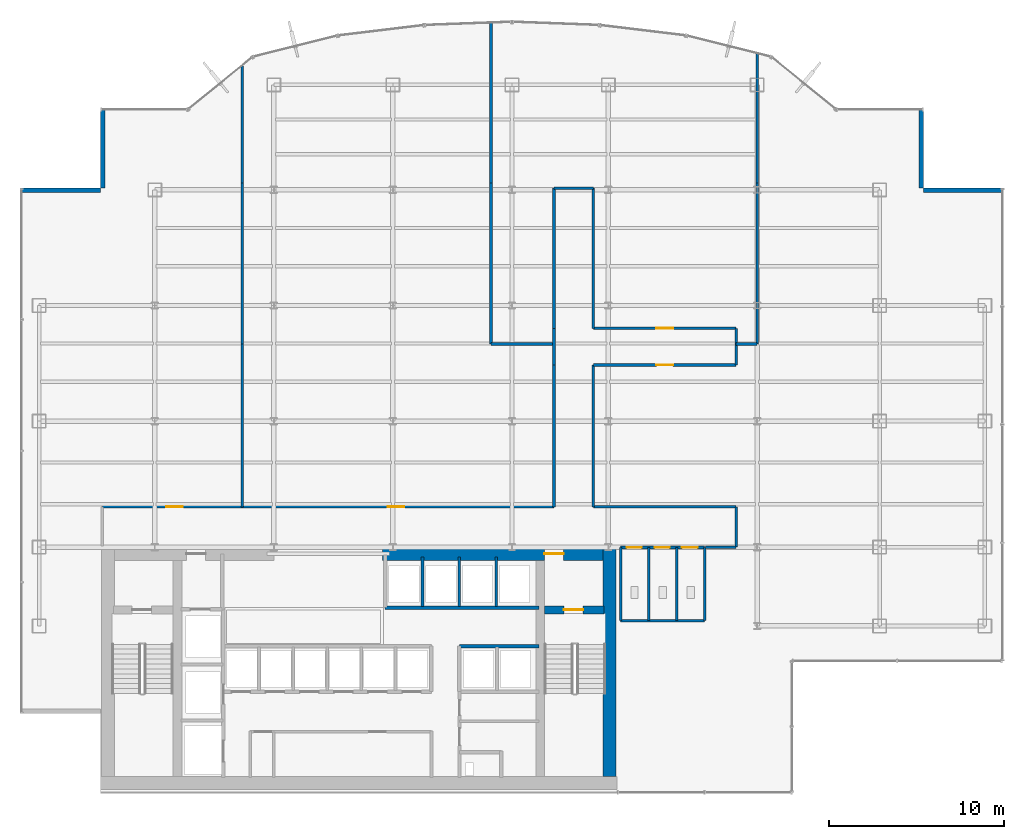
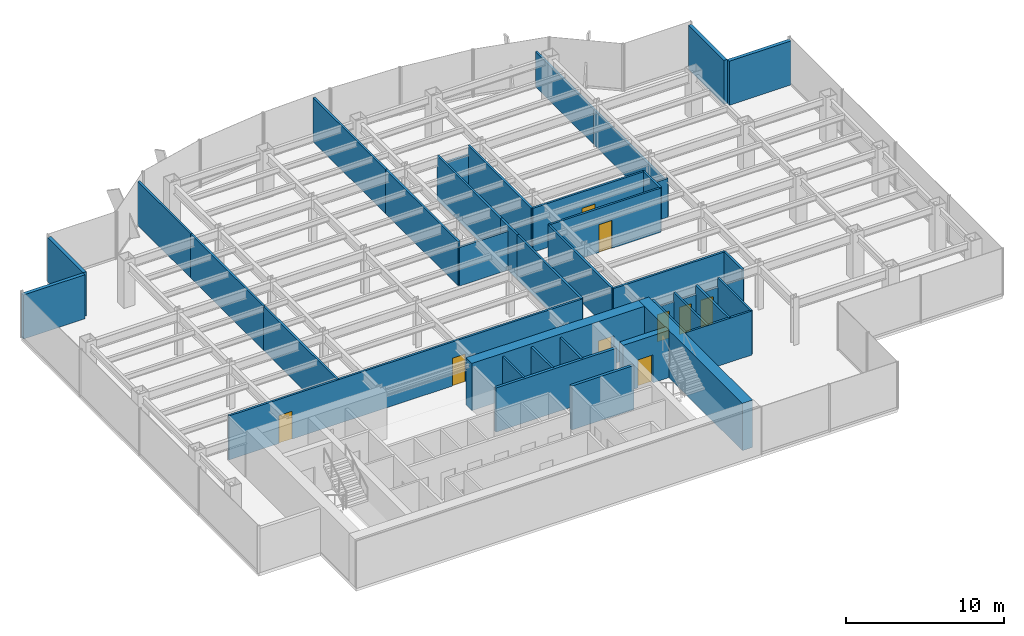
# One storey, part 22 of 26: 40 walls, 9 doors, 9 openings.
"""IFC4 building model written with IfcOpenShell, lengths in metres."""

from ifc_helpers import new_model, si_unit, derived_unit, direction, frame, frame_2d, origin, place, context, subcontext, project, spatial, rectangle, extrude, source, transform, mapped, material, layer, layer_set, type_object, element, fill, save


model = new_model("IFC4")

# Units and contexts
model_context = context("Model", 3, precision=1e-05, world=origin(), true_north=direction((0.0, 1.0)))
body_context = subcontext(model_context, "Body", "Model", "MODEL_VIEW")
ifc_project = project(units=[si_unit("LENGTHUNIT", "METRE"), si_unit("AREAUNIT", "SQUARE_METRE"), si_unit("VOLUMEUNIT", "CUBIC_METRE"), si_unit("PLANEANGLEUNIT", "RADIAN"), si_unit("MASSUNIT", "GRAM", prefix="KILO"), derived_unit("THERMALTRANSMITTANCEUNIT", [(si_unit("POWERUNIT", "WATT"), 1), (si_unit("LENGTHUNIT", "METRE"), -2), (si_unit("THERMODYNAMICTEMPERATUREUNIT", "KELVIN"), -1)])], contexts=[model_context])

# Site, building, storey
site_placement = place(None, origin())
site = spatial("IfcSite", under=ifc_project, at=site_placement, CompositionType="ELEMENT")
building_placement = place(site_placement, origin())
building = spatial("IfcBuilding", under=site, at=building_placement, Name="Skarnbrae Concourse Arena and Tower", CompositionType="ELEMENT")
storey_placement = place(building_placement, frame((0.0, 0.0, 117.85009765625)))
storey = spatial("IfcBuildingStorey", under=building, at=storey_placement, Name="L29", CompositionType="ELEMENT", Elevation=117.85009765625)

# Wall, opening, door
ifc_material_1 = material(Name="Concrete 50 MPa (C50/60)", Category="concrete")
ifc_layer_1 = layer(ifc_material_1, 0.449951171875)
ifc_layer_set_1 = layer_set([ifc_layer_1], Name="Concrete 50 MPa (C50/60)")
wall_type_1 = type_object("IfcWallType", Name="WALL-CORE-450-C50", PredefinedType="SHEAR", material=ifc_layer_set_1)
shared_shape_1 = source(origin(), body_context, "Body", "SweptSolid", [
    extrude(rectangle(XDim=3.389892578125, YDim=0.449951171875, at=frame_2d((1.69482421875, 0.0))), origin(), (0.0, 0.0, 1.0), 3.64990234375),
])
wall_1_placement = place(storey_placement, frame((29.860107421875, 10.419921875, 0.0), z_axis=(0.0, 0.0, 1.0), x_axis=(1.0, 0.0, 0.0)))
wall_1 = element("IfcWall", 1, at=wall_1_placement, inside=storey, type_object=wall_type_1, Name="L29 Rear core shear wall CW-ST2-N", PredefinedType="SHEAR", context=body_context, shape_type="MappedRepresentation", body=[
    mapped(shared_shape_1, transform((0.0, 0.0, 0.0))),
])
opening_1_placement = place(wall_1_placement, frame((1.10009765625, 0.0, 0.0)))
opening_1 = element("IfcOpeningElement", 2, at=opening_1_placement, cuts=wall_1, Name="Opening DT-03", PredefinedType="OPENING", context=body_context, shape_type="SweptSolid", body=[
    extrude(rectangle(XDim=1.10009765625, YDim=2.14990234375, at=frame_2d((0.550048828125, 1.074951171875))), frame((0.0, 0.23486328125, 0.0), z_axis=(0.0, -1.0, 0.0), x_axis=(1.0, 0.0, 0.0)), (0.0, 0.0, 1.0), 0.469970703125),
])
ifc_material_2 = material(Name="Steel CSA G40.21 350W", Category="steel")
door_type_1 = type_object("IfcDoorType", Name="DOOR-FIRE-1100-90M", OperationType="NOTDEFINED", PredefinedType="DOOR", material=ifc_material_2)
shared_shape_2 = source(origin(), body_context, "Body", "SweptSolid", [
    extrude(rectangle(XDim=1.10009765625, YDim=2.14990234375, at=frame_2d((0.550048828125, 1.074951171875))), frame((0.0, 0.02490234375, 0.0), z_axis=(0.0, -1.0, 0.0), x_axis=(1.0, 0.0, 0.0)), (0.0, 0.0, 1.0), 0.050048828125),
])
door_1_placement = place(opening_1_placement, frame((1.10009765625, 0.0, 0.0), z_axis=(0.0, 0.0, 1.0), x_axis=(-1.0, 0.0, 0.0)))
door_1 = element("IfcDoor", 3, at=door_1_placement, inside=storey, type_object=door_type_1, Name="D-0948 Stair ST-2 Door", OperationType="SINGLE_SWING_RIGHT", OverallHeight=2.14990234375, OverallWidth=1.10009765625, PredefinedType="DOOR", context=body_context, shape_type="MappedRepresentation", body=[
    mapped(shared_shape_2, transform((0.0, 0.0, 0.0))),
])
fill(opening_1, door_1)

# Wall
ifc_material_3 = material(Name="Concrete 60 MPa (C60/75)", Category="concrete")
ifc_layer_2 = layer(ifc_material_3, 0.75)
ifc_layer_set_2 = layer_set([ifc_layer_2], Name="Concrete 60 MPa (C60/75)")
wall_type_2 = type_object("IfcWallType", Name="WALL-CORE-750-C60", PredefinedType="SHEAR", material=ifc_layer_set_2)
shared_shape_3 = source(origin(), body_context, "Body", "SweptSolid", [
    extrude(rectangle(XDim=13.10009765625, YDim=0.75, at=frame_2d((6.550048828125, 0.0))), origin(), (0.0, 0.0, 1.0), 3.64990234375),
])
wall_2_placement = place(storey_placement, frame((33.574951171875, 0.89990234375, 0.0), z_axis=(0.0, 0.0, 1.0), x_axis=(0.0, 1.0, 0.0)))
element("IfcWall", 4, at=wall_2_placement, inside=storey, type_object=wall_type_2, Name="L29 Rear core shear wall CW-E", PredefinedType="SHEAR", context=body_context, shape_type="MappedRepresentation", body=[
    mapped(shared_shape_3, transform((0.0, 0.0, 0.0))),
])

# Wall, opening, door
shared_shape_4 = source(origin(), body_context, "Body", "SweptSolid", [
    extrude(rectangle(XDim=12.599853515625, YDim=0.75, at=frame_2d((6.2998046875, 0.0))), origin(), (0.0, 0.0, 1.0), 3.64990234375),
])
wall_3_placement = place(storey_placement, frame((20.60009765625, 13.625, 0.0), z_axis=(0.0, 0.0, 1.0), x_axis=(1.0, 0.0, 0.0)))
wall_3 = element("IfcWall", 5, at=wall_3_placement, inside=storey, type_object=wall_type_2, Name="L29 Rear core shear wall CW-NE", PredefinedType="SHEAR", context=body_context, shape_type="MappedRepresentation", body=[
    mapped(shared_shape_4, transform((0.0, 0.0, 0.0))),
])
opening_2_placement = place(wall_3_placement, frame((9.25, 0.0, 0.0)))
opening_2 = element("IfcOpeningElement", 6, at=opening_2_placement, cuts=wall_3, Name="Opening DT-03", PredefinedType="OPENING", context=body_context, shape_type="SweptSolid", body=[
    extrude(rectangle(XDim=1.10009765625, YDim=2.14990234375, at=frame_2d((0.550048828125, 1.074951171875))), frame((0.0, 0.385009765625, 0.0), z_axis=(0.0, -1.0, 0.0), x_axis=(1.0, 0.0, 0.0)), (0.0, 0.0, 1.0), 0.77001953125),
])
door_2_placement = place(opening_2_placement, origin())
door_2 = element("IfcDoor", 7, at=door_2_placement, inside=storey, type_object=door_type_1, Name="D-0950 Stair ST-2 Vestibule Door", OperationType="SINGLE_SWING_LEFT", OverallHeight=2.14990234375, OverallWidth=1.10009765625, PredefinedType="DOOR", context=body_context, shape_type="MappedRepresentation", body=[
    mapped(shared_shape_2, transform((0.0, 0.0, 0.0))),
])
fill(opening_2, door_2)

# Walls
ifc_material_4 = material(Name="Precast concrete 40 MPa (C40/50)", Category="concrete")
ifc_layer_3 = layer(ifc_material_4, 0.25)
ifc_layer_set_3 = layer_set([ifc_layer_3], Name="Precast concrete 40 MPa (C40/50)")
wall_type_3 = type_object("IfcWallType", Name="WALL-EXT-SPANDREL-250", PredefinedType="STANDARD", material=ifc_layer_set_3)
shared_shape_5 = source(origin(), body_context, "Body", "SweptSolid", [
    extrude(rectangle(XDim=4.5, YDim=0.25, at=frame_2d((2.25, 0.0))), origin(), (0.0, 0.0, 1.0), 3.39990234375),
])
for number, where, z_axis, x_axis, name in (
    (8, (56.0, 34.375, 0.0), (0.0, 0.0, 1.0), (-1.0, 0.0, 0.0), "L29 Notched corner insulated return wall 05"),
    (9, (51.375, 34.5, 0.0), (0.0, 0.0, 1.0), (0.0, 1.0, 0.0), "L29 Notched corner insulated return wall 06"),
    (10, (4.625, 39.0, 0.0), (0.0, 0.0, 1.0), (0.0, -1.0, 0.0), "L29 Notched corner insulated return wall 17"),
    (11, (4.5, 34.375, 0.0), (0.0, 0.0, 1.0), (-1.0, 0.0, 0.0), "L29 Notched corner insulated return wall 18"),
):
    element("IfcWall", number, at=place(storey_placement, frame(where, z_axis=z_axis, x_axis=x_axis)), inside=storey, type_object=wall_type_3, Name=name, PredefinedType="STANDARD", context=body_context, shape_type="MappedRepresentation", body=[
        mapped(shared_shape_5, transform((0.0, 0.0, 0.0))),
    ])
ifc_material_5 = material(Name="Gypsum board on cold-formed steel studs", Category="steel")
ifc_layer_4 = layer(ifc_material_5, 0.199951171875)
ifc_layer_set_4 = layer_set([ifc_layer_4], Name="Gypsum board on cold-formed steel studs")
wall_type_4 = type_object("IfcWallType", Name="WALL-PART-200-2HR", PredefinedType="PARTITIONING", material=ifc_layer_set_4)
shared_shape_6 = source(origin(), body_context, "Body", "SweptSolid", [
    extrude(rectangle(XDim=8.800048828125, YDim=0.199951171875, at=frame_2d((4.39990234375, 0.0))), origin(), (0.0, 0.0, 1.0), 3.39990234375),
])
wall_4_placement = place(storey_placement, frame((20.75, 10.550048828125, 0.0), z_axis=(0.0, 0.0, 1.0), x_axis=(1.0, 0.0, 0.0)))
element("IfcWall", 12, at=wall_4_placement, inside=storey, type_object=wall_type_4, Name="L29 Interior partition wall W-L29-B3N-S", PredefinedType="PARTITIONING", context=body_context, shape_type="MappedRepresentation", body=[
    mapped(shared_shape_6, transform((0.0, 0.0, 0.0))),
])
ifc_layer_5 = layer(ifc_material_5, 0.14990234375)
ifc_layer_set_5 = layer_set([ifc_layer_5], Name="Gypsum board on cold-formed steel studs")
wall_type_5 = type_object("IfcWallType", Name="WALL-PART-150", PredefinedType="PARTITIONING", material=ifc_layer_set_5)
shared_shape_7 = source(origin(), body_context, "Body", "SweptSolid", [
    extrude(rectangle(XDim=2.849853515625, YDim=0.14990234375, at=frame_2d((1.4248046875, 0.0))), origin(), (0.0, 0.0, 1.0), 3.39990234375),
])
for number, where, z_axis, x_axis, name in (
    (13, (22.889892578125, 10.60009765625, 0.0), (0.0, 0.0, 1.0), (0.0, 1.0, 0.0), "L29 Interior partition wall W-L29-B3N-P1"),
    (14, (24.989990234375, 10.60009765625, 0.0), (0.0, 0.0, 1.0), (0.0, 1.0, 0.0), "L29 Interior partition wall W-L29-B3N-P2"),
    (15, (27.090087890625, 10.60009765625, 0.0), (0.0, 0.0, 1.0), (0.0, 1.0, 0.0), "L29 Interior partition wall W-L29-B3N-P3"),
):
    element("IfcWall", number, at=place(storey_placement, frame(where, z_axis=z_axis, x_axis=x_axis)), inside=storey, type_object=wall_type_5, Name=name, PredefinedType="PARTITIONING", context=body_context, shape_type="MappedRepresentation", body=[
        mapped(shared_shape_7, transform((0.0, 0.0, 0.0))),
    ])
shared_shape_8 = source(origin(), body_context, "Body", "SweptSolid", [
    extrude(rectangle(XDim=4.550048828125, YDim=0.199951171875, at=frame_2d((2.27490234375, 0.0))), origin(), (0.0, 0.0, 1.0), 3.39990234375),
])
wall_5_placement = place(storey_placement, frame((25.0, 8.35009765625, 0.0), z_axis=(0.0, 0.0, 1.0), x_axis=(1.0, 0.0, 0.0)))
element("IfcWall", 16, at=wall_5_placement, inside=storey, type_object=wall_type_4, Name="L29 Interior partition wall W-L29-B3S-N", PredefinedType="PARTITIONING", context=body_context, shape_type="MappedRepresentation", body=[
    mapped(shared_shape_8, transform((0.0, 0.0, 0.0))),
])
shared_shape_9 = source(origin(), body_context, "Body", "SweptSolid", [
    extrude(rectangle(XDim=4.800048828125, YDim=0.14990234375, at=frame_2d((2.39990234375, 0.0))), origin(), (0.0, 0.0, 1.0), 3.39990234375),
])
wall_6_placement = place(storey_placement, frame((34.199951171875, 9.800048828125, 0.0), z_axis=(0.0, 0.0, 1.0), x_axis=(1.0, 0.0, 0.0)))
element("IfcWall", 17, at=wall_6_placement, inside=storey, type_object=wall_type_5, Name="L29 Interior partition wall W-L29-WC-S", PredefinedType="PARTITIONING", context=body_context, shape_type="MappedRepresentation", body=[
    mapped(shared_shape_9, transform((0.0, 0.0, 0.0))),
])
shared_shape_10 = source(origin(), body_context, "Body", "SweptSolid", [
    extrude(rectangle(XDim=4.179931640625, YDim=0.14990234375, at=frame_2d((2.08984375, 0.0))), origin(), (0.0, 0.0, 1.0), 3.39990234375),
])
for number, where, z_axis, x_axis, name in (
    (18, (39.0, 9.800048828125, 0.0), (0.0, 0.0, 1.0), (0.0, 1.0, 0.0), "L29 Interior partition wall W-L29-WC-E"),
    (19, (34.199951171875, 9.800048828125, 0.0), (0.0, 0.0, 1.0), (0.0, 1.0, 0.0), "L29 Interior partition wall W-L29-WC-W"),
    (20, (35.800048828125, 9.800048828125, 0.0), (0.0, 0.0, 1.0), (0.0, 1.0, 0.0), "L29 Interior partition wall W-L29-WC-D1"),
    (21, (37.39990234375, 9.800048828125, 0.0), (0.0, 0.0, 1.0), (0.0, 1.0, 0.0), "L29 Interior partition wall W-L29-WC-D2"),
):
    element("IfcWall", number, at=place(storey_placement, frame(where, z_axis=z_axis, x_axis=x_axis)), inside=storey, type_object=wall_type_5, Name=name, PredefinedType="PARTITIONING", context=body_context, shape_type="MappedRepresentation", body=[
        mapped(shared_shape_10, transform((0.0, 0.0, 0.0))),
    ])
shared_shape_11 = source(origin(), body_context, "Body", "SweptSolid", [
    extrude(rectangle(XDim=9.199951171875, YDim=0.14990234375, at=frame_2d((4.60009765625, 0.0))), origin(), (0.0, 0.0, 1.0), 3.39990234375),
])
for number, where, z_axis, x_axis, name in (
    (22, (12.60009765625, 34.800048828125, 0.0), (0.0, 0.0, 1.0), (0.0, -1.0, 0.0), "L29 Interior partition wall W-L29-DEM-16"),
    (23, (26.800048828125, 34.800048828125, 0.0), (0.0, 0.0, 1.0), (0.0, -1.0, 0.0), "L29 Interior partition wall W-L29-DEM-19"),
):
    element("IfcWall", number, at=place(storey_placement, frame(where, z_axis=z_axis, x_axis=x_axis)), inside=storey, type_object=wall_type_5, Name=name, PredefinedType="PARTITIONING", context=body_context, shape_type="MappedRepresentation", body=[
        mapped(shared_shape_11, transform((0.0, 0.0, 0.0))),
    ])

# Wall, openings, doors
shared_shape_12 = source(origin(), body_context, "Body", "SweptSolid", [
    extrude(rectangle(XDim=4.800048828125, YDim=0.14990234375, at=frame_2d((2.39990234375, 0.0))), origin(), (0.0, 0.0, 1.0), 2.701904296875),
])
wall_7_placement = place(storey_placement, frame((34.199951171875, 13.97998046875, 0.0), z_axis=(0.0, 0.0, 1.0), x_axis=(1.0, 0.0, 0.0)))
wall_7 = element("IfcWall", 24, at=wall_7_placement, inside=storey, type_object=wall_type_5, Name="L29 Interior partition wall W-L29-WC-N", PredefinedType="PARTITIONING", context=body_context, shape_type="MappedRepresentation", body=[
    mapped(shared_shape_12, transform((0.0, 0.0, 0.0))),
])
opening_3_placement = place(wall_7_placement, frame((0.35009765625, 0.0, 0.0)))
opening_3 = element("IfcOpeningElement", 25, at=opening_3_placement, cuts=wall_7, Name="Opening DT-06", PredefinedType="OPENING", context=body_context, shape_type="SweptSolid", body=[
    extrude(rectangle(XDim=0.85009765625, YDim=2.10009765625, at=frame_2d((0.425048828125, 1.050048828125))), frame((0.0, 0.0849609375, 0.0), z_axis=(0.0, -1.0, 0.0), x_axis=(1.0, 0.0, 0.0)), (0.0, 0.0, 1.0), 0.169921875),
])
opening_4_placement = place(wall_7_placement, frame((1.949951171875, 0.0, 0.0)))
opening_4 = element("IfcOpeningElement", 26, at=opening_4_placement, cuts=wall_7, Name="Opening DT-06", PredefinedType="OPENING", context=body_context, shape_type="SweptSolid", body=[
    extrude(rectangle(XDim=0.85009765625, YDim=2.10009765625, at=frame_2d((0.425048828125, 1.050048828125))), frame((0.0, 0.0849609375, 0.0), z_axis=(0.0, -1.0, 0.0), x_axis=(1.0, 0.0, 0.0)), (0.0, 0.0, 1.0), 0.169921875),
])
opening_5_placement = place(wall_7_placement, frame((3.5, 0.0, 0.0)))
opening_5 = element("IfcOpeningElement", 27, at=opening_5_placement, cuts=wall_7, Name="Opening DT-05", PredefinedType="OPENING", context=body_context, shape_type="SweptSolid", body=[
    extrude(rectangle(XDim=0.89990234375, YDim=2.10009765625, at=frame_2d((0.449951171875, 1.050048828125))), frame((0.0, 0.0849609375, 0.0), z_axis=(0.0, -1.0, 0.0), x_axis=(1.0, 0.0, 0.0)), (0.0, 0.0, 1.0), 0.169921875),
])
ifc_material_6 = material(Name="Architectural oak veneer timber leaf", Category="wood")
door_type_2 = type_object("IfcDoorType", Name="DOOR-INT-850", OperationType="NOTDEFINED", PredefinedType="DOOR", material=ifc_material_6)
shared_shape_13 = source(origin(), body_context, "Body", "SweptSolid", [
    extrude(rectangle(XDim=0.85009765625, YDim=2.10009765625, at=frame_2d((0.425048828125, 1.050048828125))), frame((0.0, 0.02490234375, 0.0), z_axis=(0.0, -1.0, 0.0), x_axis=(1.0, 0.0, 0.0)), (0.0, 0.0, 1.0), 0.050048828125),
])
door_3_placement = place(opening_3_placement, frame((0.85009765625, 0.0, 0.0), z_axis=(0.0, 0.0, 1.0), x_axis=(-1.0, 0.0, 0.0)))
door_3 = element("IfcDoor", 28, at=door_3_placement, inside=storey, type_object=door_type_2, Name="D-0964 Male Washroom Door", OperationType="SINGLE_SWING_LEFT", OverallHeight=2.10009765625, OverallWidth=0.85009765625, PredefinedType="DOOR", context=body_context, shape_type="MappedRepresentation", body=[
    mapped(shared_shape_13, transform((0.0, 0.0, 0.0))),
])
fill(opening_3, door_3)
door_4_placement = place(opening_4_placement, frame((0.85009765625, 0.0, 0.0), z_axis=(0.0, 0.0, 1.0), x_axis=(-1.0, 0.0, 0.0)))
door_4 = element("IfcDoor", 29, at=door_4_placement, inside=storey, type_object=door_type_2, Name="D-0965 Female Washroom Door", OperationType="SINGLE_SWING_RIGHT", OverallHeight=2.10009765625, OverallWidth=0.85009765625, PredefinedType="DOOR", context=body_context, shape_type="MappedRepresentation", body=[
    mapped(shared_shape_13, transform((0.0, 0.0, 0.0))),
])
fill(opening_4, door_4)
door_type_3 = type_object("IfcDoorType", Name="DOOR-INT-900", OperationType="NOTDEFINED", PredefinedType="DOOR", material=ifc_material_6)
shared_shape_14 = source(origin(), body_context, "Body", "SweptSolid", [
    extrude(rectangle(XDim=0.89990234375, YDim=2.10009765625, at=frame_2d((0.449951171875, 1.050048828125))), frame((0.0, 0.02490234375, 0.0), z_axis=(0.0, -1.0, 0.0), x_axis=(1.0, 0.0, 0.0)), (0.0, 0.0, 1.0), 0.050048828125),
])
door_5_placement = place(opening_5_placement, frame((0.89990234375, 0.0, 0.0), z_axis=(0.0, 0.0, 1.0), x_axis=(-1.0, 0.0, 0.0)))
door_5 = element("IfcDoor", 30, at=door_5_placement, inside=storey, type_object=door_type_3, Name="D-0966 Accessible WC Door", OperationType="SINGLE_SWING_LEFT", OverallHeight=2.10009765625, OverallWidth=0.89990234375, PredefinedType="DOOR", context=body_context, shape_type="MappedRepresentation", body=[
    mapped(shared_shape_14, transform((0.0, 0.0, 0.0))),
])
fill(opening_5, door_5)

# Walls
ifc_layer_6 = layer(ifc_material_5, 0.14990234375)
ifc_layer_set_6 = layer_set([ifc_layer_6], Name="Gypsum board on cold-formed steel studs")
wall_type_6 = type_object("IfcWallType", Name="WALL-PART-150-1HR", PredefinedType="PARTITIONING", material=ifc_layer_set_6)
shared_shape_15 = source(origin(), body_context, "Body", "SweptSolid", [
    extrude(rectangle(XDim=2.10009765625, YDim=0.14990234375, at=frame_2d((1.050048828125, 0.0))), origin(), (0.0, 0.0, 1.0), 3.39990234375),
])
for number, where, z_axis, x_axis, name in (
    (31, (30.39990234375, 24.39990234375, 0.0), (0.0, 0.0, 1.0), (0.0, 1.0, 0.0), "L29 Interior partition wall W-L29-COR-04"),
    (32, (40.800048828125, 26.5, 0.0), (0.0, 0.0, 1.0), (0.0, -1.0, 0.0), "L29 Interior partition wall W-L29-COR-09"),
):
    element("IfcWall", number, at=place(storey_placement, frame(where, z_axis=z_axis, x_axis=x_axis)), inside=storey, type_object=wall_type_6, Name=name, PredefinedType="PARTITIONING", context=body_context, shape_type="MappedRepresentation", body=[
        mapped(shared_shape_15, transform((0.0, 0.0, 0.0))),
    ])
shared_shape_16 = source(origin(), body_context, "Body", "SweptSolid", [
    extrude(rectangle(XDim=2.300048828125, YDim=0.14990234375, at=frame_2d((1.14990234375, 0.0))), origin(), (0.0, 0.0, 1.0), 3.39990234375),
])
wall_8_placement = place(storey_placement, frame((40.800048828125, 16.300048828125, 0.0), z_axis=(0.0, 0.0, 1.0), x_axis=(0.0, -1.0, 0.0)))
element("IfcWall", 33, at=wall_8_placement, inside=storey, type_object=wall_type_6, Name="L29 Interior partition wall W-L29-COR-13", PredefinedType="PARTITIONING", context=body_context, shape_type="MappedRepresentation", body=[
    mapped(shared_shape_16, transform((0.0, 0.0, 0.0))),
])
shared_shape_17 = source(origin(), body_context, "Body", "SweptSolid", [
    extrude(rectangle(XDim=1.75, YDim=0.14990234375, at=frame_2d((0.875, 0.0))), origin(), (0.0, 0.0, 1.0), 2.701904296875),
])
wall_9_placement = place(storey_placement, frame((40.800048828125, 14.0, 0.0), z_axis=(0.0, 0.0, 1.0), x_axis=(-1.0, 0.0, 0.0)))
element("IfcWall", 34, at=wall_9_placement, inside=storey, type_object=wall_type_6, Name="L29 Interior partition wall W-L29-COR-14", PredefinedType="PARTITIONING", context=body_context, shape_type="MappedRepresentation", body=[
    mapped(shared_shape_17, transform((0.0, 0.0, 0.0))),
])

# Wall, openings, doors
shared_shape_18 = source(origin(), body_context, "Body", "SweptSolid", [
    extrude(rectangle(XDim=25.7998046875, YDim=0.14990234375, at=frame_2d((12.89990234375, 0.0))), origin(), (0.0, 0.0, 1.0), 3.39990234375),
])
wall_10_placement = place(storey_placement, frame((4.60009765625, 16.300048828125, 0.0), z_axis=(0.0, 0.0, 1.0), x_axis=(1.0, 0.0, 0.0)))
wall_10 = element("IfcWall", 35, at=wall_10_placement, inside=storey, type_object=wall_type_6, Name="L29 Interior partition wall W-L29-COR-02", PredefinedType="PARTITIONING", context=body_context, shape_type="MappedRepresentation", body=[
    mapped(shared_shape_18, transform((0.0, 0.0, 0.0))),
])
opening_6_placement = place(wall_10_placement, frame((3.655029296875, 0.0, 0.0)))
opening_6 = element("IfcOpeningElement", 36, at=opening_6_placement, cuts=wall_10, Name="Opening DT-04", PredefinedType="OPENING", context=body_context, shape_type="SweptSolid", body=[
    extrude(rectangle(XDim=0.949951171875, YDim=2.14990234375, at=frame_2d((0.47509765625, 1.074951171875))), frame((0.0, 0.0849609375, 0.0), z_axis=(0.0, -1.0, 0.0), x_axis=(1.0, 0.0, 0.0)), (0.0, 0.0, 1.0), 0.169921875),
])
opening_7_placement = place(wall_10_placement, frame((16.294921875, 0.0, 0.0)))
opening_7 = element("IfcOpeningElement", 37, at=opening_7_placement, cuts=wall_10, Name="Opening DT-04", PredefinedType="OPENING", context=body_context, shape_type="SweptSolid", body=[
    extrude(rectangle(XDim=0.949951171875, YDim=2.14990234375, at=frame_2d((0.47509765625, 1.074951171875))), frame((0.0, 0.0849609375, 0.0), z_axis=(0.0, -1.0, 0.0), x_axis=(1.0, 0.0, 0.0)), (0.0, 0.0, 1.0), 0.169921875),
])
door_type_4 = type_object("IfcDoorType", Name="DOOR-INT-950-45M", OperationType="NOTDEFINED", PredefinedType="DOOR", material=ifc_material_2)
shared_shape_19 = source(origin(), body_context, "Body", "SweptSolid", [
    extrude(rectangle(XDim=0.949951171875, YDim=2.14990234375, at=frame_2d((0.47509765625, 1.074951171875))), frame((0.0, 0.02490234375, 0.0), z_axis=(0.0, -1.0, 0.0), x_axis=(1.0, 0.0, 0.0)), (0.0, 0.0, 1.0), 0.050048828125),
])
door_6_placement = place(opening_6_placement, origin())
door_6 = element("IfcDoor", 38, at=door_6_placement, inside=storey, type_object=door_type_4, Name="D-0967 L29 Suite Door 01", OperationType="SINGLE_SWING_LEFT", OverallHeight=2.14990234375, OverallWidth=0.949951171875, PredefinedType="DOOR", context=body_context, shape_type="MappedRepresentation", body=[
    mapped(shared_shape_19, transform((0.0, 0.0, 0.0))),
])
fill(opening_6, door_6)
door_7_placement = place(opening_7_placement, origin())
door_7 = element("IfcDoor", 39, at=door_7_placement, inside=storey, type_object=door_type_4, Name="D-0968 L29 Suite Door 02", OperationType="SINGLE_SWING_RIGHT", OverallHeight=2.14990234375, OverallWidth=0.949951171875, PredefinedType="DOOR", context=body_context, shape_type="MappedRepresentation", body=[
    mapped(shared_shape_19, transform((0.0, 0.0, 0.0))),
])
fill(opening_7, door_7)

# Walls
shared_shape_20 = source(origin(), body_context, "Body", "SweptSolid", [
    extrude(rectangle(XDim=8.099853515625, YDim=0.14990234375, at=frame_2d((4.0498046875, 0.0))), origin(), (0.0, 0.0, 1.0), 3.39990234375),
])
for number, where, z_axis, x_axis, name in (
    (40, (30.39990234375, 16.300048828125, 0.0), (0.0, 0.0, 1.0), (0.0, 1.0, 0.0), "L29 Interior partition wall W-L29-COR-03"),
    (41, (32.64990234375, 24.39990234375, 0.0), (0.0, 0.0, 1.0), (0.0, -1.0, 0.0), "L29 Interior partition wall W-L29-COR-11"),
):
    element("IfcWall", number, at=place(storey_placement, frame(where, z_axis=z_axis, x_axis=x_axis)), inside=storey, type_object=wall_type_6, Name=name, PredefinedType="PARTITIONING", context=body_context, shape_type="MappedRepresentation", body=[
        mapped(shared_shape_20, transform((0.0, 0.0, 0.0))),
    ])
shared_shape_21 = source(origin(), body_context, "Body", "SweptSolid", [
    extrude(rectangle(XDim=8.0, YDim=0.14990234375, at=frame_2d((4.0, 0.0))), origin(), (0.0, 0.0, 1.0), 3.39990234375),
])
for number, where, z_axis, x_axis, name in (
    (42, (30.39990234375, 26.5, 0.0), (0.0, 0.0, 1.0), (0.0, 1.0, 0.0), "L29 Interior partition wall W-L29-COR-05"),
    (43, (32.64990234375, 34.5, 0.0), (0.0, 0.0, 1.0), (0.0, -1.0, 0.0), "L29 Interior partition wall W-L29-COR-07"),
):
    element("IfcWall", number, at=place(storey_placement, frame(where, z_axis=z_axis, x_axis=x_axis)), inside=storey, type_object=wall_type_6, Name=name, PredefinedType="PARTITIONING", context=body_context, shape_type="MappedRepresentation", body=[
        mapped(shared_shape_21, transform((0.0, 0.0, 0.0))),
    ])
shared_shape_22 = source(origin(), body_context, "Body", "SweptSolid", [
    extrude(rectangle(XDim=2.25, YDim=0.14990234375, at=frame_2d((1.125, 0.0))), origin(), (0.0, 0.0, 1.0), 2.701904296875),
])
wall_11_placement = place(storey_placement, frame((30.39990234375, 34.5, 0.0), z_axis=(0.0, 0.0, 1.0), x_axis=(1.0, 0.0, 0.0)))
element("IfcWall", 44, at=wall_11_placement, inside=storey, type_object=wall_type_6, Name="L29 Interior partition wall W-L29-COR-06", PredefinedType="PARTITIONING", context=body_context, shape_type="MappedRepresentation", body=[
    mapped(shared_shape_22, transform((0.0, 0.0, 0.0))),
])

# Wall, opening, door
shared_shape_23 = source(origin(), body_context, "Body", "SweptSolid", [
    extrude(rectangle(XDim=8.150146484375, YDim=0.14990234375, at=frame_2d((4.0751953125, 0.0))), origin(), (0.0, 0.0, 1.0), 3.39990234375),
])
wall_12_placement = place(storey_placement, frame((32.64990234375, 26.5, 0.0), z_axis=(0.0, 0.0, 1.0), x_axis=(1.0, 0.0, 0.0)))
wall_12 = element("IfcWall", 45, at=wall_12_placement, inside=storey, type_object=wall_type_6, Name="L29 Interior partition wall W-L29-COR-08", PredefinedType="PARTITIONING", context=body_context, shape_type="MappedRepresentation", body=[
    mapped(shared_shape_23, transform((0.0, 0.0, 0.0))),
])
opening_8_placement = place(wall_12_placement, frame((3.60009765625, 0.0, 0.0)))
opening_8 = element("IfcOpeningElement", 46, at=opening_8_placement, cuts=wall_12, Name="Opening DT-04", PredefinedType="OPENING", context=body_context, shape_type="SweptSolid", body=[
    extrude(rectangle(XDim=0.949951171875, YDim=2.14990234375, at=frame_2d((0.47509765625, 1.074951171875))), frame((0.0, 0.0849609375, 0.0), z_axis=(0.0, -1.0, 0.0), x_axis=(1.0, 0.0, 0.0)), (0.0, 0.0, 1.0), 0.169921875),
])
door_8_placement = place(opening_8_placement, origin())
door_8 = element("IfcDoor", 47, at=door_8_placement, inside=storey, type_object=door_type_4, Name="D-0969 L29 Suite Door 03", OperationType="SINGLE_SWING_LEFT", OverallHeight=2.14990234375, OverallWidth=0.949951171875, PredefinedType="DOOR", context=body_context, shape_type="MappedRepresentation", body=[
    mapped(shared_shape_19, transform((0.0, 0.0, 0.0))),
])
fill(opening_8, door_8)

wall_13_placement = place(storey_placement, frame((40.800048828125, 24.39990234375, 0.0), z_axis=(0.0, 0.0, 1.0), x_axis=(-1.0, 0.0, 0.0)))
wall_13 = element("IfcWall", 48, at=wall_13_placement, inside=storey, type_object=wall_type_6, Name="L29 Interior partition wall W-L29-COR-10", PredefinedType="PARTITIONING", context=body_context, shape_type="MappedRepresentation", body=[
    mapped(shared_shape_23, transform((0.0, 0.0, 0.0))),
])
opening_9_placement = place(wall_13_placement, frame((3.60009765625, 0.0, 0.0)))
opening_9 = element("IfcOpeningElement", 49, at=opening_9_placement, cuts=wall_13, Name="Opening DT-04", PredefinedType="OPENING", context=body_context, shape_type="SweptSolid", body=[
    extrude(rectangle(XDim=0.949951171875, YDim=2.14990234375, at=frame_2d((0.47509765625, 1.074951171875))), frame((0.0, 0.0849609375, 0.0), z_axis=(0.0, -1.0, 0.0), x_axis=(1.0, 0.0, 0.0)), (0.0, 0.0, 1.0), 0.169921875),
])
door_9_placement = place(opening_9_placement, origin())
door_9 = element("IfcDoor", 50, at=door_9_placement, inside=storey, type_object=door_type_4, Name="D-0970 L29 Suite Door 04", OperationType="SINGLE_SWING_RIGHT", OverallHeight=2.14990234375, OverallWidth=0.949951171875, PredefinedType="DOOR", context=body_context, shape_type="MappedRepresentation", body=[
    mapped(shared_shape_19, transform((0.0, 0.0, 0.0))),
])
fill(opening_9, door_9)

# Walls
wall_14_placement = place(storey_placement, frame((32.64990234375, 16.300048828125, 0.0), z_axis=(0.0, 0.0, 1.0), x_axis=(1.0, 0.0, 0.0)))
element("IfcWall", 51, at=wall_14_placement, inside=storey, type_object=wall_type_6, Name="L29 Interior partition wall W-L29-COR-12", PredefinedType="PARTITIONING", context=body_context, shape_type="MappedRepresentation", body=[
    mapped(shared_shape_23, transform((0.0, 0.0, 0.0))),
])
shared_shape_24 = source(origin(), body_context, "Body", "SweptSolid", [
    extrude(rectangle(XDim=6.69189453125, YDim=0.14990234375, at=frame_2d((3.345947265625, 0.0))), origin(), (0.0, 0.0, 1.0), 3.39990234375),
])
wall_15_placement = place(storey_placement, frame((12.60009765625, 41.491943359375, 0.0), z_axis=(0.0, 0.0, 1.0), x_axis=(0.0, -1.0, 0.0)))
element("IfcWall", 52, at=wall_15_placement, inside=storey, type_object=wall_type_5, Name="L29 Interior partition wall W-L29-DEM-15", PredefinedType="PARTITIONING", context=body_context, shape_type="MappedRepresentation", body=[
    mapped(shared_shape_24, transform((0.0, 0.0, 0.0))),
])
shared_shape_25 = source(origin(), body_context, "Body", "SweptSolid", [
    extrude(rectangle(XDim=9.300048828125, YDim=0.14990234375, at=frame_2d((4.64990234375, 0.0))), origin(), (0.0, 0.0, 1.0), 3.39990234375),
])
wall_16_placement = place(storey_placement, frame((12.60009765625, 25.60009765625, 0.0), z_axis=(0.0, 0.0, 1.0), x_axis=(0.0, -1.0, 0.0)))
element("IfcWall", 53, at=wall_16_placement, inside=storey, type_object=wall_type_5, Name="L29 Interior partition wall W-L29-DEM-17", PredefinedType="PARTITIONING", context=body_context, shape_type="MappedRepresentation", body=[
    mapped(shared_shape_25, transform((0.0, 0.0, 0.0))),
])
shared_shape_26 = source(origin(), body_context, "Body", "SweptSolid", [
    extrude(rectangle(XDim=9.13525390625, YDim=0.14990234375, at=frame_2d((4.567626953125, 0.0))), origin(), (0.0, 0.0, 1.0), 3.39990234375),
])
wall_17_placement = place(storey_placement, frame((26.800048828125, 43.935302734375, 0.0), z_axis=(0.0, 0.0, 1.0), x_axis=(0.0, -1.0, 0.0)))
element("IfcWall", 54, at=wall_17_placement, inside=storey, type_object=wall_type_5, Name="L29 Interior partition wall W-L29-DEM-18", PredefinedType="PARTITIONING", context=body_context, shape_type="MappedRepresentation", body=[
    mapped(shared_shape_26, transform((0.0, 0.0, 0.0))),
])
shared_shape_27 = source(origin(), body_context, "Body", "SweptSolid", [
    extrude(rectangle(XDim=3.599853515625, YDim=0.14990234375, at=frame_2d((1.7998046875, 0.0))), origin(), (0.0, 0.0, 1.0), 2.98779296875),
])
wall_18_placement = place(storey_placement, frame((26.800048828125, 25.60009765625, 0.0), z_axis=(0.0, 0.0, 1.0), x_axis=(1.0, 0.0, 0.0)))
element("IfcWall", 55, at=wall_18_placement, inside=storey, type_object=wall_type_5, Name="L29 Interior partition wall W-L29-DEM-20", PredefinedType="PARTITIONING", context=body_context, shape_type="MappedRepresentation", body=[
    mapped(shared_shape_27, transform((0.0, 0.0, 0.0))),
])
shared_shape_28 = source(origin(), body_context, "Body", "SweptSolid", [
    extrude(rectangle(XDim=7.37890625, YDim=0.14990234375, at=frame_2d((3.689453125, 0.0))), origin(), (0.0, 0.0, 1.0), 2.701904296875),
])
wall_19_placement = place(storey_placement, frame((42.0, 42.178955078125, 0.0), z_axis=(0.0, 0.0, 1.0), x_axis=(0.0, -1.0, 0.0)))
element("IfcWall", 56, at=wall_19_placement, inside=storey, type_object=wall_type_5, Name="L29 Interior partition wall W-L29-DEM-21", PredefinedType="PARTITIONING", context=body_context, shape_type="MappedRepresentation", body=[
    mapped(shared_shape_28, transform((0.0, 0.0, 0.0))),
])
shared_shape_29 = source(origin(), body_context, "Body", "SweptSolid", [
    extrude(rectangle(XDim=9.199951171875, YDim=0.14990234375, at=frame_2d((4.60009765625, 0.0))), origin(), (0.0, 0.0, 1.0), 2.701904296875),
])
wall_20_placement = place(storey_placement, frame((42.0, 34.800048828125, 0.0), z_axis=(0.0, 0.0, 1.0), x_axis=(0.0, -1.0, 0.0)))
element("IfcWall", 57, at=wall_20_placement, inside=storey, type_object=wall_type_5, Name="L29 Interior partition wall W-L29-DEM-22", PredefinedType="PARTITIONING", context=body_context, shape_type="MappedRepresentation", body=[
    mapped(shared_shape_29, transform((0.0, 0.0, 0.0))),
])
shared_shape_30 = source(origin(), body_context, "Body", "SweptSolid", [
    extrude(rectangle(XDim=1.199951171875, YDim=0.14990234375, at=frame_2d((0.60009765625, 0.0))), origin(), (0.0, 0.0, 1.0), 2.98779296875),
])
wall_21_placement = place(storey_placement, frame((42.0, 25.60009765625, 0.0), z_axis=(0.0, 0.0, 1.0), x_axis=(-1.0, 0.0, 0.0)))
element("IfcWall", 58, at=wall_21_placement, inside=storey, type_object=wall_type_5, Name="L29 Interior partition wall W-L29-DEM-23", PredefinedType="PARTITIONING", context=body_context, shape_type="MappedRepresentation", body=[
    mapped(shared_shape_30, transform((0.0, 0.0, 0.0))),
])

save(model, "model.ifc")
